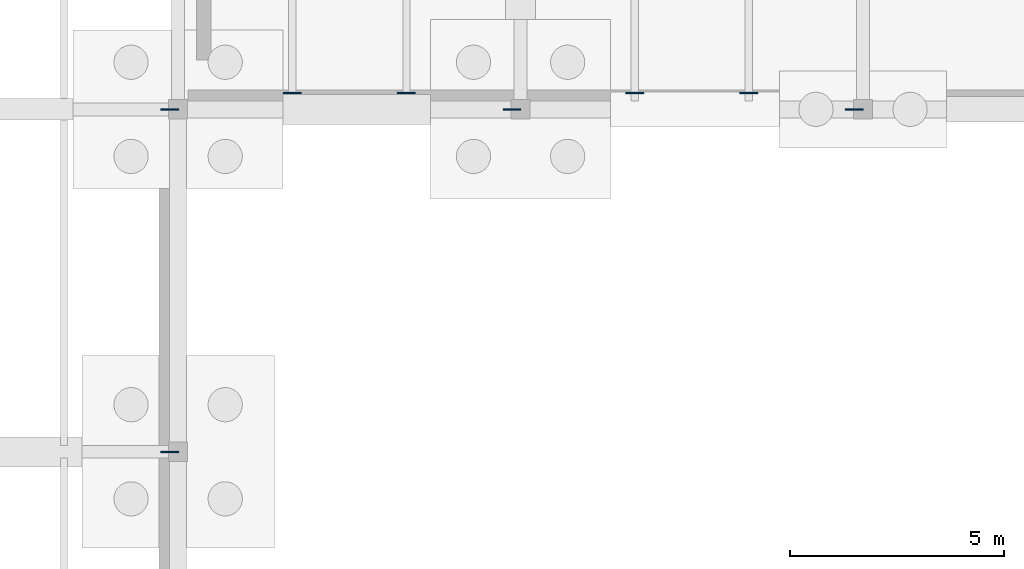
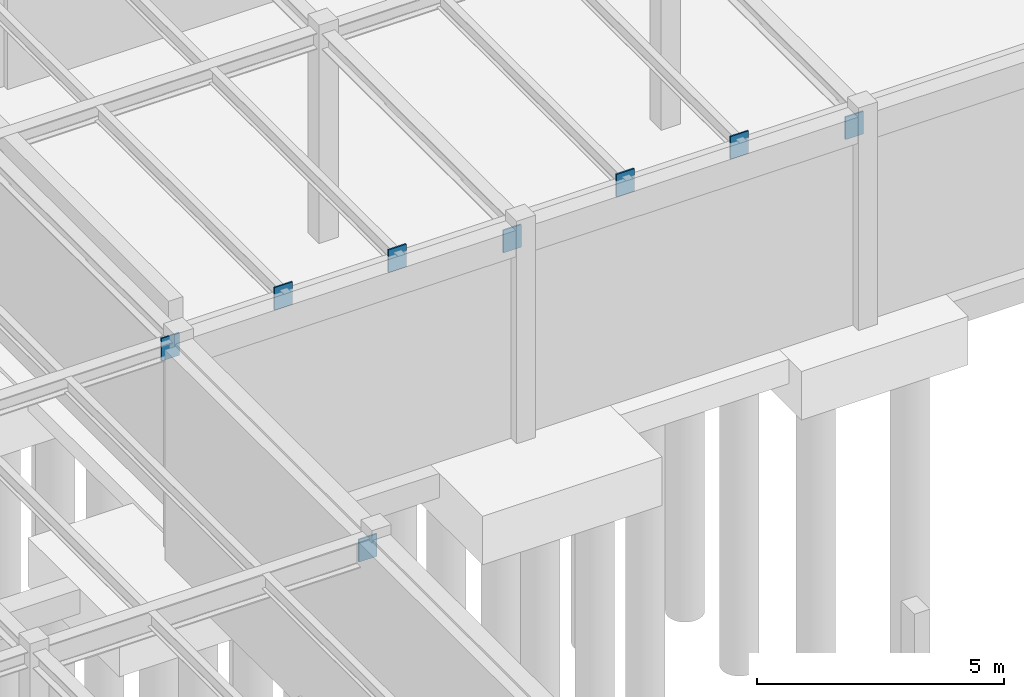
# One storey, part 38 of 71: 8 plates.
"""IFC4 building model written with IfcOpenShell, lengths in metres."""

from ifc_helpers import new_model, si_unit, direction, frame, origin, origin_2d, place, context, subcontext, project, spatial, rectangle, extrude, material, layer, layer_set, type_object, element, save


model = new_model("IFC4")

# Units and contexts
model_context = context("Model", 3, precision=1e-05, world=origin(), true_north=direction((0.0, 1.0)))
body_context = subcontext(model_context, "Body", "Model", "MODEL_VIEW")
ifc_project = project(units=[si_unit("LENGTHUNIT", "METRE"), si_unit("AREAUNIT", "SQUARE_METRE"), si_unit("VOLUMEUNIT", "CUBIC_METRE"), si_unit("PLANEANGLEUNIT", "RADIAN"), si_unit("MASSUNIT", "GRAM", prefix="KILO")], contexts=[model_context])

# Site, building, storey
site_placement = place(None, origin())
site = spatial("IfcSite", under=ifc_project, at=site_placement, CompositionType="ELEMENT")
building_placement = place(site_placement, origin())
building = spatial("IfcBuilding", under=site, at=building_placement, Name="Sundkrona Museum", CompositionType="ELEMENT")
storey_placement = place(building_placement, frame((0.0, 0.0, -5.39990234375)))
storey = spatial("IfcBuildingStorey", under=building, at=storey_placement, Name="B1", CompositionType="ELEMENT", Elevation=-5.39990234375)

# Plates
ifc_material = material(Name="Steel S355J2", Category="steel")
ifc_layer = layer(ifc_material, 0.034912109375)
ifc_layer_set = layer_set([ifc_layer], Name="Steel S355J2")
plate_type = type_object("IfcPlateType", Name="EP-1", PredefinedType="USERDEFINED", material=ifc_layer_set)
for number, where, z_axis, x_axis, name in (
    (1, (39.800048828125, 70.0, 4.559814453125), (0.0, 0.0, 1.0), (1.0, 0.0, 0.0), "Structural Wall Cast-In Embed Plate BM-B1-X-0090-2"),
    (2, (39.800048828125, 78.0, 4.679931640625), (0.0, 0.0, 1.0), (1.0, 0.0, 0.0), "Structural Wall Cast-In Embed Plate BM-B1-X-0101-2"),
    (3, (47.800048828125, 78.0, 4.554931640625), (0.0, 0.0, 1.0), (1.0, 0.0, 0.0), "Structural Wall Cast-In Embed Plate BM-B1-X-0102-2"),
    (4, (55.800048828125, 78.0, 4.554931640625), (0.0, 0.0, 1.0), (1.0, 0.0, 0.0), "Structural Wall Cast-In Embed Plate BM-B1-X-0103-2"),
    (5, (42.666748046875, 78.385498046875, 4.699951171875), (0.0, 0.0, 1.0), (1.0, 0.0, 0.0), "Structural Wall Cast-In Embed Plate JS-B1-0058-1"),
    (6, (45.333251953125, 78.385498046875, 4.699951171875), (0.0, 0.0, 1.0), (1.0, 0.0, 0.0), "Structural Wall Cast-In Embed Plate JS-B1-0059-1"),
    (7, (50.666748046875, 78.385498046875, 4.699951171875), (0.0, 0.0, 1.0), (1.0, 0.0, 0.0), "Structural Wall Cast-In Embed Plate JS-B1-0066-1"),
    (8, (53.333251953125, 78.385498046875, 4.699951171875), (0.0, 0.0, 1.0), (1.0, 0.0, 0.0), "Structural Wall Cast-In Embed Plate JS-B1-0067-1"),
):
    element("IfcPlate", number, at=place(storey_placement, frame(where, z_axis=z_axis, x_axis=x_axis)), inside=storey, type_object=plate_type, Name=name, ObjectType="GUSSET PLATE", PredefinedType="USERDEFINED", context=body_context, shape_type="SweptSolid", body=[
        extrude(rectangle(XDim=0.419921875, YDim=0.034912109375, at=origin_2d()), origin(), (0.0, 0.0, 1.0), 0.56005859375),
    ])

save(model, "model.ifc")
